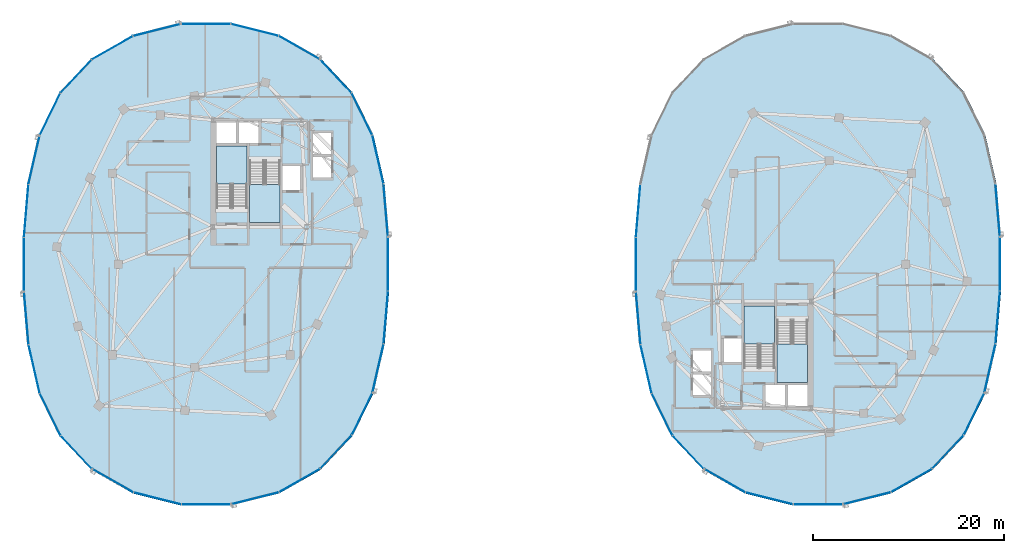
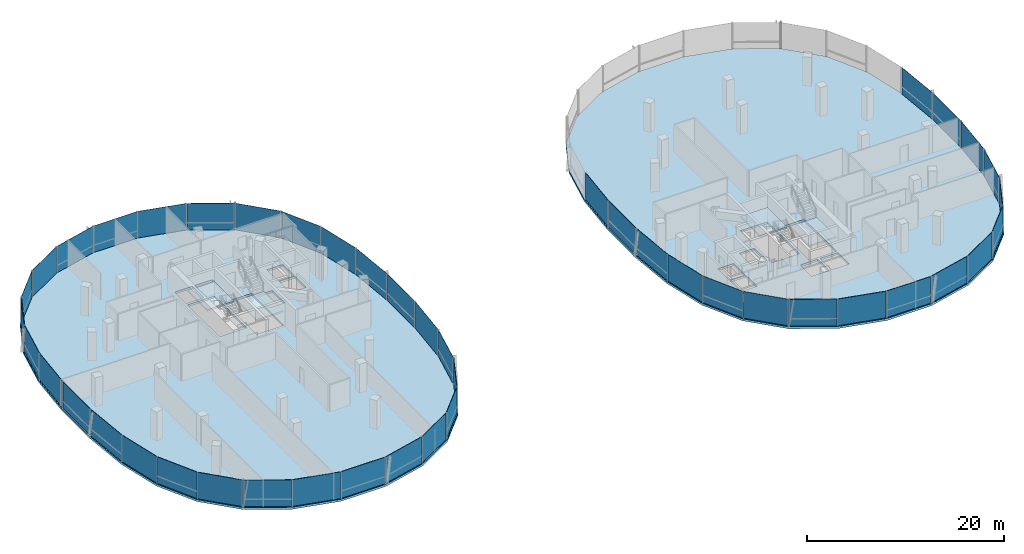
# One storey, part 13 of 25: 45 plates, 6 slabs, 12 elements without a shape of their own.
"""IFC4 building model written with IfcOpenShell, lengths in metres."""

import ifcopenshell
import ifcopenshell.guid

model = None  # the IFC model being written
_history = None  # IfcOwnerHistory: only IFC2X3 demands one
_inside = {}  # id of a spatial element -> (the spatial element, [elements in it])
_under = {}  # id of a project, library or spatial element -> (it, [spatial elements below it])
_declared = {}  # id of a project -> (the project, [libraries it declares])
_typed = {}  # id of a type object -> (the type object, [elements of that type])
_made_of = {}  # id of a material, layer set ... -> (it, [elements and type objects made of it])


def new_model(schema):
    """Start an empty IFC model of exactly this schema.

    Asked for "IFC4X3", IfcOpenShell would pick the latest addendum, in which some entities
    have other attributes; the version numbers below select the first issue.
    IFC2X3 requires an IfcOwnerHistory on every rooted entity: one is made here for all.
    """
    global model, _history
    if schema == "IFC4X3":
        model = ifcopenshell.file(schema_version=(4, 3, 0, 0))
    else:
        model = ifcopenshell.file(schema=schema)
    _inside.clear()
    _under.clear()
    _declared.clear()
    _typed.clear()
    _made_of.clear()
    _history = None
    if model.schema == "IFC2X3":
        org = make("IfcOrganization", Name="unknown")
        user = make(
            "IfcPersonAndOrganization",
            ThePerson=make("IfcPerson", FamilyName="unknown"),
            TheOrganization=org,
        )
        app = make(
            "IfcApplication",
            ApplicationDeveloper=org,
            Version="unknown",
            ApplicationFullName="unknown",
            ApplicationIdentifier="unknown",
        )
        _history = make(
            "IfcOwnerHistory",
            OwningUser=user,
            OwningApplication=app,
            ChangeAction="ADDED",
            CreationDate=0,
        )
    return model


def make(cls, **values):
    """One entity of the class cls with the attributes given. An attribute that is None is left unset."""
    return model.create_entity(
        cls, **{name: value for name, value in values.items() if value is not None}
    )


def rooted(cls, **values):
    """An entity with a GlobalId (a new one), such as an element, a storey or a relation."""
    return make(cls, GlobalId=ifcopenshell.guid.new(), OwnerHistory=_history, **values)


def si_unit(unit_type, name, prefix=None):
    """IfcSIUnit, for example si_unit("LENGTHUNIT", "METRE", prefix="MILLI")."""
    return make("IfcSIUnit", UnitType=unit_type, Prefix=prefix, Name=name)


def assignment(units):
    """IfcUnitAssignment: the units of a project."""
    return None if units is None else make("IfcUnitAssignment", Units=units)


def point(xyz):
    """IfcCartesianPoint."""
    return None if xyz is None else make("IfcCartesianPoint", Coordinates=xyz)


def direction(xyz):
    """IfcDirection."""
    return None if xyz is None else make("IfcDirection", DirectionRatios=xyz)


def frame(location, z_axis=None, x_axis=None):
    """IfcAxis2Placement3D, a coordinate frame: its origin and axes. An axis left out is left unset."""
    return make(
        "IfcAxis2Placement3D",
        Location=point(location),
        Axis=direction(z_axis),
        RefDirection=direction(x_axis),
    )


def frame_2d(location, x_axis=None):
    """IfcAxis2Placement2D, a coordinate frame in the plane: its origin and x axis."""
    return make(
        "IfcAxis2Placement2D", Location=point(location), RefDirection=direction(x_axis)
    )


def origin():
    """The frame at (0, 0, 0) with its axes left unset."""
    return frame((0.0, 0.0, 0.0))


def origin_2d():
    """The frame at (0, 0) in the plane with its x axis left unset."""
    return frame_2d((0.0, 0.0))


def place(relative_to, where):
    """IfcLocalPlacement: puts the frame where relative to a parent placement (None: the world)."""
    return make(
        "IfcLocalPlacement", PlacementRelTo=relative_to, RelativePlacement=where
    )


def context(
    kind, dimensions, precision=None, world=None, true_north=None, identifier=None
):
    """IfcGeometricRepresentationContext, for example the 3D "Model" context."""
    return make(
        "IfcGeometricRepresentationContext",
        ContextIdentifier=identifier,
        ContextType=kind,
        CoordinateSpaceDimension=dimensions,
        Precision=precision,
        WorldCoordinateSystem=world,
        TrueNorth=true_north,
    )


def subcontext(parent, identifier, kind, view, scale=None):
    """IfcGeometricRepresentationSubContext, for example "Body" below "Model"."""
    return make(
        "IfcGeometricRepresentationSubContext",
        ContextIdentifier=identifier,
        ContextType=kind,
        ParentContext=parent,
        TargetScale=scale,
        TargetView=view,
    )


def project(units=None, contexts=None):
    """IfcProject with its units and contexts."""
    return rooted(
        "IfcProject",
        Name="project",
        RepresentationContexts=contexts,
        UnitsInContext=assignment(units),
    )


def spatial(cls, under=None, at=None, **own):
    """A site, building, storey or space (cls), placed at a placement, below another one or the project."""
    s = rooted(cls, ObjectPlacement=at, **own)
    if under is not None:
        _under.setdefault(under.id(), (under, []))[1].append(s)
    return s


def polyline(points):
    """IfcPolyline through the points."""
    return make("IfcPolyline", Points=[point(p) for p in points])


def profile(cls, at=None, kind="AREA", **sizes):
    """A parametric profile (cls). Its sizes go by their IFC names, for example OverallWidth=200.0."""
    return make(cls, ProfileType=kind, Position=at, **sizes)


def rectangle(**sizes):
    """IfcRectangleProfileDef."""
    return profile("IfcRectangleProfileDef", **sizes)


def outline(outer, holes=None, kind="AREA"):
    """IfcArbitraryClosedProfileDef: a profile drawn as a closed curve; with holes, ...WithVoids."""
    if holes is None:
        return make("IfcArbitraryClosedProfileDef", ProfileType=kind, OuterCurve=outer)
    return make(
        "IfcArbitraryProfileDefWithVoids",
        ProfileType=kind,
        OuterCurve=outer,
        InnerCurves=holes,
    )


def extrude(swept, where, along, depth):
    """IfcExtrudedAreaSolid: the profile swept, set in the frame where, extruded along a direction by depth."""
    return make(
        "IfcExtrudedAreaSolid",
        SweptArea=swept,
        Position=where,
        ExtrudedDirection=direction(along),
        Depth=depth,
    )


def shape(context_of_items, identifier, shape_type, items):
    """IfcShapeRepresentation: the items that make up one representation, for example the "Body"."""
    return make(
        "IfcShapeRepresentation",
        ContextOfItems=context_of_items,
        RepresentationIdentifier=identifier,
        RepresentationType=shape_type,
        Items=items,
    )


def material(Name=None, Category=None):
    """IfcMaterial."""
    return make("IfcMaterial", Name=Name, Category=Category)


def layer(
    of_material, thickness, ventilated=None, Name=None, Category=None, Priority=None
):
    """IfcMaterialLayer: one layer of a wall or slab, of a material (None: an air gap)."""
    return make(
        "IfcMaterialLayer",
        Material=of_material,
        LayerThickness=thickness,
        IsVentilated=ventilated,
        Name=Name,
        Category=Category,
        Priority=Priority,
    )


def layer_set(layers, Name=None):
    """IfcMaterialLayerSet."""
    return make("IfcMaterialLayerSet", MaterialLayers=layers, LayerSetName=Name)


def made_of(thing, what):
    """Note that an element or type object is made of a material, layer set ...; save() writes the relation."""
    if what is not None:
        _made_of.setdefault(what.id(), (what, []))[1].append(thing)
    return thing


def type_object(cls, material=None, **own):
    """A type object (cls), such as IfcWallType, which elements share."""
    return made_of(rooted(cls, **own), material)


def element(
    cls,
    number,
    at=None,
    inside=None,
    cuts=None,
    type_object=None,
    material=None,
    context=None,
    identifier="Body",
    shape_type=None,
    held_by="IfcProductDefinitionShape",
    body=None,
    shapes=None,
    **own,
):
    """One element of the class cls, such as IfcWall. Its Tag is "e" and its number.

    at: its placement. inside: the storey or other place that contains it. cuts: it is an
    opening in that element (IfcRelVoidsElement). A single representation is given by context,
    identifier, shape_type and body (its items); several are given by shapes. held_by: the class
    of the entity that holds the representations. save() writes the other relations.
    """
    e = rooted(cls, Tag="e%d" % number, ObjectPlacement=at, **own)
    if body is not None:
        shapes = [shape(context, identifier, shape_type, body)]
    if shapes is not None:
        e.Representation = make(held_by, Representations=shapes)
    if inside is not None:
        _inside.setdefault(inside.id(), (inside, []))[1].append(e)
    if cuts is not None:
        rooted(
            "IfcRelVoidsElement", RelatingBuildingElement=cuts, RelatedOpeningElement=e
        )
    if type_object is not None:
        _typed.setdefault(type_object.id(), (type_object, []))[1].append(e)
    return made_of(e, material)


def aggregate(whole, parts):
    """IfcRelAggregates: a whole, such as a stair, and the parts it consists of."""
    return rooted("IfcRelAggregates", RelatingObject=whole, RelatedObjects=parts)


def save(model, path):
    """Write the relations noted so far, then the file.

    IfcRelAggregates (storeys below a building ...), IfcRelContainedInSpatialStructure (elements
    in a storey), IfcRelDefinesByType, IfcRelAssociatesMaterial and IfcRelDeclares: one each for
    every whole, place, type object, material and project.
    """
    for whole, parts in _under.values():
        aggregate(whole, parts)
    for where, things in _inside.values():
        rooted(
            "IfcRelContainedInSpatialStructure",
            RelatedElements=things,
            RelatingStructure=where,
        )
    for kind, things in _typed.values():
        rooted("IfcRelDefinesByType", RelatedObjects=things, RelatingType=kind)
    for what, things in _made_of.values():
        rooted("IfcRelAssociatesMaterial", RelatedObjects=things, RelatingMaterial=what)
    for by, libraries in _declared.values():
        rooted("IfcRelDeclares", RelatingContext=by, RelatedDefinitions=libraries)
    model.write(path)


model = new_model("IFC4")

# Units and contexts
model_context = context("Model", 3, precision=1e-05, world=origin(), true_north=direction((0.0, 1.0)))
body_context = subcontext(model_context, "Body", "Model", "MODEL_VIEW")
ifc_project = project(units=[si_unit("LENGTHUNIT", "METRE"), si_unit("AREAUNIT", "SQUARE_METRE"), si_unit("VOLUMEUNIT", "CUBIC_METRE"), si_unit("PLANEANGLEUNIT", "RADIAN"), si_unit("MASSUNIT", "GRAM", prefix="KILO"), si_unit("THERMODYNAMICTEMPERATUREUNIT", "KELVIN"), si_unit("POWERUNIT", "WATT")], contexts=[model_context])

# Site, building, storey
site_placement = place(None, origin())
site = spatial("IfcSite", under=ifc_project, at=site_placement, CompositionType="ELEMENT")
building_placement = place(site_placement, origin())
building = spatial("IfcBuilding", under=site, at=building_placement, Name="Cundina Bronze Exchange", CompositionType="ELEMENT")
storey_placement = place(building_placement, frame((0.0, 0.0, 199.0)))
storey = spatial("IfcBuildingStorey", under=building, at=storey_placement, Name="L52", CompositionType="ELEMENT", Elevation=199.0)

# Curtain wall, plates
ifc_material_1 = material(Name="Anodised Bronze Aluminium 6063-T6", Category="aluminium")
curtain_wall_type = type_object("IfcCurtainWallType", Name="CWS-UPP-OFF", PredefinedType="NOTDEFINED", material=ifc_material_1)
curtain_wall_1_placement = place(storey_placement, origin())
curtain_wall_1 = element("IfcCurtainWall", 1, at=curtain_wall_1_placement, inside=storey, type_object=curtain_wall_type, Name="L52 CW-05 Curtain Wall Run CWR-L52-W1", PredefinedType="NOTDEFINED")
ifc_material_2 = material(Name="Heat-Strengthened Solar-Control Bronze Safety Glass 28mm", Category="glass")
ifc_layer_1 = layer(ifc_material_2, 0.028076171875, Name="Heat-Strengthened Solar-Control Bronze Safety Glass 28mm", Category="glass")
ifc_layer_set_1 = layer_set([ifc_layer_1], Name="Heat-Strengthened Solar-Control Bronze Safety Glass 28mm")
plate_type_1 = type_object("IfcPlateType", Name="PLT-GLZ-VIS28", PredefinedType="CURTAIN_PANEL", material=ifc_layer_set_1)
plate_1_placement = place(storey_placement, frame((-13.198486328125, 5.60693359375, 0.02001953125), z_axis=(0.0, 0.0, 1.0), x_axis=(-0.083747411454, 0.996487015006, 0.0)))
plate_1 = element("IfcPlate", 2, at=plate_1_placement, type_object=plate_type_1, Name="CW-05 Glazed Panel 1", PredefinedType="CURTAIN_PANEL", context=body_context, shape_type="SweptSolid", body=[
    extrude(rectangle(XDim=5.474609375, YDim=0.028076171875, at=origin_2d()), origin(), (0.0, 0.0, 1.0), 3.300048828125),
])
plate_2_placement = place(storey_placement, frame((-14.01611328125, 10.92578125, 0.02001953125), z_axis=(0.0, 0.0, 1.0), x_axis=(-0.223284141459, 0.974753400698, 0.0)))
plate_2 = element("IfcPlate", 3, at=plate_2_placement, type_object=plate_type_1, Name="CW-05 Glazed Panel 2", PredefinedType="CURTAIN_PANEL", context=body_context, shape_type="SweptSolid", body=[
    extrude(rectangle(XDim=5.167724609375, YDim=0.028076171875, at=origin_2d()), origin(), (0.0, 0.0, 1.0), 3.300048828125),
])
plate_3_placement = place(storey_placement, frame((-18.4208984375, 19.6552734375, 0.02001953125), z_axis=(0.0, 0.0, 1.0), x_axis=(-0.684343512797, 0.72915976061, 0.0)))
plate_3 = element("IfcPlate", 4, at=plate_3_placement, type_object=plate_type_1, Name="CW-05 Glazed Panel 4", PredefinedType="CURTAIN_PANEL", context=body_context, shape_type="SweptSolid", body=[
    extrude(rectangle(XDim=4.773193359375, YDim=0.028076171875, at=origin_2d()), origin(), (0.0, 0.0, 1.0), 3.300048828125),
])
plate_4_placement = place(storey_placement, frame((-22.230712890625, 22.64111328125, 0.02001953125), z_axis=(0.0, 0.0, 1.0), x_axis=(-0.869572506985, 0.493805280547, 0.0)))
plate_4 = element("IfcPlate", 5, at=plate_4_placement, type_object=plate_type_1, Name="CW-05 Glazed Panel 5", PredefinedType="CURTAIN_PANEL", context=body_context, shape_type="SweptSolid", body=[
    extrude(rectangle(XDim=4.907958984375, YDim=0.028076171875, at=origin_2d()), origin(), (0.0, 0.0, 1.0), 3.300048828125),
])
plate_5_placement = place(storey_placement, frame((-26.88720703125, 24.49609375, 0.02001953125), z_axis=(0.0, 0.0, 1.0), x_axis=(-0.969731542251, 0.244173577528, 0.0)))
plate_5 = element("IfcPlate", 6, at=plate_5_placement, type_object=plate_type_1, Name="CW-05 Glazed Panel 6", PredefinedType="CURTAIN_PANEL", context=body_context, shape_type="SweptSolid", body=[
    extrude(rectangle(XDim=5.0908203125, YDim=0.028076171875, at=origin_2d()), origin(), (0.0, 0.0, 1.0), 3.300048828125),
])
plate_6_placement = place(storey_placement, frame((-32.0, 25.125, 0.02001953125), z_axis=(0.0, 0.0, 1.0), x_axis=(-1.0, 0.0, 0.0)))
plate_6 = element("IfcPlate", 7, at=plate_6_placement, type_object=plate_type_1, Name="CW-05 Glazed Panel 7", PredefinedType="CURTAIN_PANEL", context=body_context, shape_type="SweptSolid", body=[
    extrude(rectangle(XDim=5.16796875, YDim=0.028076171875, at=origin_2d()), origin(), (0.0, 0.0, 1.0), 3.300048828125),
])

curtain_wall_2_placement = place(storey_placement, origin())
curtain_wall_2 = element("IfcCurtainWall", 8, at=curtain_wall_2_placement, inside=storey, type_object=curtain_wall_type, Name="L52 CW-05 Curtain Wall Run CWR-L52-W2", PredefinedType="NOTDEFINED")
plate_7_placement = place(storey_placement, frame((-37.11279296875, 24.49609375, 0.02001953125), z_axis=(0.0, 0.0, 1.0), x_axis=(-0.969731542251, -0.244173577528, 0.0)))
plate_7 = element("IfcPlate", 9, at=plate_7_placement, type_object=plate_type_1, Name="CW-05 Glazed Panel 1", PredefinedType="CURTAIN_PANEL", context=body_context, shape_type="SweptSolid", body=[
    extrude(rectangle(XDim=5.0908203125, YDim=0.028076171875, at=origin_2d()), origin(), (0.0, 0.0, 1.0), 3.300048828125),
])
plate_8_placement = place(storey_placement, frame((-45.5791015625, 19.6552734375, 0.02001953125), z_axis=(0.0, 0.0, 1.0), x_axis=(-0.684343512797, -0.72915976061, 0.0)))
plate_8 = element("IfcPlate", 10, at=plate_8_placement, type_object=plate_type_1, Name="CW-05 Glazed Panel 3", PredefinedType="CURTAIN_PANEL", context=body_context, shape_type="SweptSolid", body=[
    extrude(rectangle(XDim=4.773193359375, YDim=0.028076171875, at=origin_2d()), origin(), (0.0, 0.0, 1.0), 3.300048828125),
])
plate_9_placement = place(storey_placement, frame((-48.314697265625, 15.686767578125, 0.02001953125), z_axis=(0.0, 0.0, 1.0), x_axis=(-0.440503330345, -0.897750976582, 0.0)))
plate_9 = element("IfcPlate", 11, at=plate_9_placement, type_object=plate_type_1, Name="CW-05 Glazed Panel 4", PredefinedType="CURTAIN_PANEL", context=body_context, shape_type="SweptSolid", body=[
    extrude(rectangle(XDim=4.863525390625, YDim=0.028076171875, at=origin_2d()), origin(), (0.0, 0.0, 1.0), 3.300048828125),
])
plate_10_placement = place(storey_placement, frame((-49.98388671875, 10.92578125, 0.02001953125), z_axis=(0.0, 0.0, 1.0), x_axis=(-0.223284141459, -0.974753400698, 0.0)))
plate_10 = element("IfcPlate", 12, at=plate_10_placement, type_object=plate_type_1, Name="CW-05 Glazed Panel 5", PredefinedType="CURTAIN_PANEL", context=body_context, shape_type="SweptSolid", body=[
    extrude(rectangle(XDim=5.167724609375, YDim=0.028076171875, at=origin_2d()), origin(), (0.0, 0.0, 1.0), 3.300048828125),
])
plate_11_placement = place(storey_placement, frame((-50.801513671875, 5.60693359375, 0.02001953125), z_axis=(0.0, 0.0, 1.0), x_axis=(-0.083747411454, -0.996487015006, 0.0)))
plate_11 = element("IfcPlate", 13, at=plate_11_placement, type_object=plate_type_1, Name="CW-05 Glazed Panel 6", PredefinedType="CURTAIN_PANEL", context=body_context, shape_type="SweptSolid", body=[
    extrude(rectangle(XDim=5.474609375, YDim=0.028076171875, at=origin_2d()), origin(), (0.0, 0.0, 1.0), 3.300048828125),
])

curtain_wall_3_placement = place(storey_placement, origin())
curtain_wall_3 = element("IfcCurtainWall", 14, at=curtain_wall_3_placement, inside=storey, type_object=curtain_wall_type, Name="L52 CW-05 Curtain Wall Run CWR-L52-W3", PredefinedType="NOTDEFINED")
plate_12_placement = place(storey_placement, frame((-49.98388671875, -10.92578125, 0.02001953125), z_axis=(0.0, 0.0, 1.0), x_axis=(0.223284141459, -0.974753400698, 0.0)))
plate_12 = element("IfcPlate", 15, at=plate_12_placement, type_object=plate_type_1, Name="CW-05 Glazed Panel 2", PredefinedType="CURTAIN_PANEL", context=body_context, shape_type="SweptSolid", body=[
    extrude(rectangle(XDim=5.167724609375, YDim=0.028076171875, at=origin_2d()), origin(), (0.0, 0.0, 1.0), 3.300048828125),
])
plate_13_placement = place(storey_placement, frame((-48.314697265625, -15.686767578125, 0.02001953125), z_axis=(0.0, 0.0, 1.0), x_axis=(0.440503330345, -0.897750976582, 0.0)))
plate_13 = element("IfcPlate", 16, at=plate_13_placement, type_object=plate_type_1, Name="CW-05 Glazed Panel 3", PredefinedType="CURTAIN_PANEL", context=body_context, shape_type="SweptSolid", body=[
    extrude(rectangle(XDim=4.863525390625, YDim=0.028076171875, at=origin_2d()), origin(), (0.0, 0.0, 1.0), 3.300048828125),
])
plate_14_placement = place(storey_placement, frame((-45.5791015625, -19.6552734375, 0.02001953125), z_axis=(0.0, 0.0, 1.0), x_axis=(0.684343512797, -0.72915976061, 0.0)))
plate_14 = element("IfcPlate", 17, at=plate_14_placement, type_object=plate_type_1, Name="CW-05 Glazed Panel 4", PredefinedType="CURTAIN_PANEL", context=body_context, shape_type="SweptSolid", body=[
    extrude(rectangle(XDim=4.773193359375, YDim=0.028076171875, at=origin_2d()), origin(), (0.0, 0.0, 1.0), 3.300048828125),
])
plate_15_placement = place(storey_placement, frame((-41.769287109375, -22.64111328125, 0.02001953125), z_axis=(0.0, 0.0, 1.0), x_axis=(0.869572506985, -0.493805280547, 0.0)))
plate_15 = element("IfcPlate", 18, at=plate_15_placement, type_object=plate_type_1, Name="CW-05 Glazed Panel 5", PredefinedType="CURTAIN_PANEL", context=body_context, shape_type="SweptSolid", body=[
    extrude(rectangle(XDim=4.907958984375, YDim=0.028076171875, at=origin_2d()), origin(), (0.0, 0.0, 1.0), 3.300048828125),
])
plate_16_placement = place(storey_placement, frame((-32.0, -25.125, 0.02001953125), z_axis=(0.0, 0.0, 1.0), x_axis=(1.0, 0.0, 0.0)))
plate_16 = element("IfcPlate", 19, at=plate_16_placement, type_object=plate_type_1, Name="CW-05 Glazed Panel 7", PredefinedType="CURTAIN_PANEL", context=body_context, shape_type="SweptSolid", body=[
    extrude(rectangle(XDim=5.16796875, YDim=0.028076171875, at=origin_2d()), origin(), (0.0, 0.0, 1.0), 3.300048828125),
])

curtain_wall_4_placement = place(storey_placement, origin())
curtain_wall_4 = element("IfcCurtainWall", 20, at=curtain_wall_4_placement, inside=storey, type_object=curtain_wall_type, Name="L52 CW-05 Curtain Wall Run CWR-L52-W4", PredefinedType="NOTDEFINED")
plate_17_placement = place(storey_placement, frame((-26.88720703125, -24.49609375, 0.02001953125), z_axis=(0.0, 0.0, 1.0), x_axis=(0.969731542251, 0.244173577528, 0.0)))
plate_17 = element("IfcPlate", 21, at=plate_17_placement, type_object=plate_type_1, Name="CW-05 Glazed Panel 1", PredefinedType="CURTAIN_PANEL", context=body_context, shape_type="SweptSolid", body=[
    extrude(rectangle(XDim=5.0908203125, YDim=0.028076171875, at=origin_2d()), origin(), (0.0, 0.0, 1.0), 3.300048828125),
])
plate_18_placement = place(storey_placement, frame((-22.230712890625, -22.64111328125, 0.02001953125), z_axis=(0.0, 0.0, 1.0), x_axis=(0.869572506985, 0.493805280547, 0.0)))
plate_18 = element("IfcPlate", 22, at=plate_18_placement, type_object=plate_type_1, Name="CW-05 Glazed Panel 2", PredefinedType="CURTAIN_PANEL", context=body_context, shape_type="SweptSolid", body=[
    extrude(rectangle(XDim=4.907958984375, YDim=0.028076171875, at=origin_2d()), origin(), (0.0, 0.0, 1.0), 3.300048828125),
])
plate_19_placement = place(storey_placement, frame((-18.4208984375, -19.6552734375, 0.02001953125), z_axis=(0.0, 0.0, 1.0), x_axis=(0.684343512797, 0.72915976061, 0.0)))
plate_19 = element("IfcPlate", 23, at=plate_19_placement, type_object=plate_type_1, Name="CW-05 Glazed Panel 3", PredefinedType="CURTAIN_PANEL", context=body_context, shape_type="SweptSolid", body=[
    extrude(rectangle(XDim=4.773193359375, YDim=0.028076171875, at=origin_2d()), origin(), (0.0, 0.0, 1.0), 3.300048828125),
])
plate_20_placement = place(storey_placement, frame((-15.685302734375, -15.686767578125, 0.02001953125), z_axis=(0.0, 0.0, 1.0), x_axis=(0.440503330345, 0.897750976582, 0.0)))
plate_20 = element("IfcPlate", 24, at=plate_20_placement, type_object=plate_type_1, Name="CW-05 Glazed Panel 4", PredefinedType="CURTAIN_PANEL", context=body_context, shape_type="SweptSolid", body=[
    extrude(rectangle(XDim=4.863525390625, YDim=0.028076171875, at=origin_2d()), origin(), (0.0, 0.0, 1.0), 3.300048828125),
])
plate_21_placement = place(storey_placement, frame((-13.198486328125, -5.60693359375, 0.02001953125), z_axis=(0.0, 0.0, 1.0), x_axis=(0.083747411454, 0.996487015006, 0.0)))
plate_21 = element("IfcPlate", 25, at=plate_21_placement, type_object=plate_type_1, Name="CW-05 Glazed Panel 6", PredefinedType="CURTAIN_PANEL", context=body_context, shape_type="SweptSolid", body=[
    extrude(rectangle(XDim=5.474609375, YDim=0.028076171875, at=origin_2d()), origin(), (0.0, 0.0, 1.0), 3.300048828125),
])
plate_22_placement = place(storey_placement, frame((-12.966064453125, 0.0, 0.02001953125), z_axis=(0.0, 0.0, 1.0), x_axis=(0.0, 1.0, 0.0)))
plate_22 = element("IfcPlate", 26, at=plate_22_placement, type_object=plate_type_1, Name="CW-05 Glazed Panel 7", PredefinedType="CURTAIN_PANEL", context=body_context, shape_type="SweptSolid", body=[
    extrude(rectangle(XDim=5.597900390625, YDim=0.028076171875, at=origin_2d()), origin(), (0.0, 0.0, 1.0), 3.300048828125),
])

# Curtain wall, plate
curtain_wall_5_placement = place(storey_placement, origin())
curtain_wall_5 = element("IfcCurtainWall", 27, at=curtain_wall_5_placement, inside=storey, type_object=curtain_wall_type, Name="L52 CW-05 Curtain Wall Run CWR-L52-E1", PredefinedType="NOTDEFINED")
plate_23_placement = place(storey_placement, frame((50.801513671875, 5.60693359375, 0.02001953125), z_axis=(0.0, 0.0, 1.0), x_axis=(-0.083747411454, 0.996487015006, 0.0)))
plate_23 = element("IfcPlate", 28, at=plate_23_placement, type_object=plate_type_1, Name="CW-05 Glazed Panel 1", PredefinedType="CURTAIN_PANEL", context=body_context, shape_type="SweptSolid", body=[
    extrude(rectangle(XDim=5.474609375, YDim=0.028076171875, at=origin_2d()), origin(), (0.0, 0.0, 1.0), 3.300048828125),
])
aggregate(curtain_wall_5, [plate_23])

curtain_wall_6_placement = place(storey_placement, origin())
curtain_wall_6 = element("IfcCurtainWall", 29, at=curtain_wall_6_placement, inside=storey, type_object=curtain_wall_type, Name="L52 CW-05 Curtain Wall Run CWR-L52-E2", PredefinedType="NOTDEFINED")
plate_24_placement = place(storey_placement, frame((13.198486328125, 5.60693359375, 0.02001953125), z_axis=(0.0, 0.0, 1.0), x_axis=(-0.083747411454, -0.996487015006, 0.0)))
plate_24 = element("IfcPlate", 30, at=plate_24_placement, type_object=plate_type_1, Name="CW-05 Glazed Panel 6", PredefinedType="CURTAIN_PANEL", context=body_context, shape_type="SweptSolid", body=[
    extrude(rectangle(XDim=5.474609375, YDim=0.028076171875, at=origin_2d()), origin(), (0.0, 0.0, 1.0), 3.300048828125),
])

# Curtain wall, plates
curtain_wall_7_placement = place(storey_placement, origin())
curtain_wall_7 = element("IfcCurtainWall", 31, at=curtain_wall_7_placement, inside=storey, type_object=curtain_wall_type, Name="L52 CW-05 Curtain Wall Run CWR-L52-E3", PredefinedType="NOTDEFINED")
plate_25_placement = place(storey_placement, frame((14.01611328125, -10.92578125, 0.02001953125), z_axis=(0.0, 0.0, 1.0), x_axis=(0.223284141459, -0.974753400698, 0.0)))
plate_25 = element("IfcPlate", 32, at=plate_25_placement, type_object=plate_type_1, Name="CW-05 Glazed Panel 2", PredefinedType="CURTAIN_PANEL", context=body_context, shape_type="SweptSolid", body=[
    extrude(rectangle(XDim=5.167724609375, YDim=0.028076171875, at=origin_2d()), origin(), (0.0, 0.0, 1.0), 3.300048828125),
])
plate_26_placement = place(storey_placement, frame((15.685302734375, -15.686767578125, 0.02001953125), z_axis=(0.0, 0.0, 1.0), x_axis=(0.440503330345, -0.897750976582, 0.0)))
plate_26 = element("IfcPlate", 33, at=plate_26_placement, type_object=plate_type_1, Name="CW-05 Glazed Panel 3", PredefinedType="CURTAIN_PANEL", context=body_context, shape_type="SweptSolid", body=[
    extrude(rectangle(XDim=4.863525390625, YDim=0.028076171875, at=origin_2d()), origin(), (0.0, 0.0, 1.0), 3.300048828125),
])
plate_27_placement = place(storey_placement, frame((18.4208984375, -19.6552734375, 0.02001953125), z_axis=(0.0, 0.0, 1.0), x_axis=(0.684343512797, -0.72915976061, 0.0)))
plate_27 = element("IfcPlate", 34, at=plate_27_placement, type_object=plate_type_1, Name="CW-05 Glazed Panel 4", PredefinedType="CURTAIN_PANEL", context=body_context, shape_type="SweptSolid", body=[
    extrude(rectangle(XDim=4.773193359375, YDim=0.028076171875, at=origin_2d()), origin(), (0.0, 0.0, 1.0), 3.300048828125),
])
plate_28_placement = place(storey_placement, frame((22.230712890625, -22.64111328125, 0.02001953125), z_axis=(0.0, 0.0, 1.0), x_axis=(0.869572506985, -0.493805280547, 0.0)))
plate_28 = element("IfcPlate", 35, at=plate_28_placement, type_object=plate_type_1, Name="CW-05 Glazed Panel 5", PredefinedType="CURTAIN_PANEL", context=body_context, shape_type="SweptSolid", body=[
    extrude(rectangle(XDim=4.907958984375, YDim=0.028076171875, at=origin_2d()), origin(), (0.0, 0.0, 1.0), 3.300048828125),
])
plate_29_placement = place(storey_placement, frame((32.0, -25.125, 0.02001953125), z_axis=(0.0, 0.0, 1.0), x_axis=(1.0, 0.0, 0.0)))
plate_29 = element("IfcPlate", 36, at=plate_29_placement, type_object=plate_type_1, Name="CW-05 Glazed Panel 7", PredefinedType="CURTAIN_PANEL", context=body_context, shape_type="SweptSolid", body=[
    extrude(rectangle(XDim=5.16796875, YDim=0.028076171875, at=origin_2d()), origin(), (0.0, 0.0, 1.0), 3.300048828125),
])

curtain_wall_8_placement = place(storey_placement, origin())
curtain_wall_8 = element("IfcCurtainWall", 37, at=curtain_wall_8_placement, inside=storey, type_object=curtain_wall_type, Name="L52 CW-05 Curtain Wall Run CWR-L52-E4", PredefinedType="NOTDEFINED")
plate_30_placement = place(storey_placement, frame((37.11279296875, -24.49609375, 0.02001953125), z_axis=(0.0, 0.0, 1.0), x_axis=(0.969731542251, 0.244173577528, 0.0)))
plate_30 = element("IfcPlate", 38, at=plate_30_placement, type_object=plate_type_1, Name="CW-05 Glazed Panel 1", PredefinedType="CURTAIN_PANEL", context=body_context, shape_type="SweptSolid", body=[
    extrude(rectangle(XDim=5.0908203125, YDim=0.028076171875, at=origin_2d()), origin(), (0.0, 0.0, 1.0), 3.300048828125),
])
plate_31_placement = place(storey_placement, frame((41.769287109375, -22.64111328125, 0.02001953125), z_axis=(0.0, 0.0, 1.0), x_axis=(0.869572506985, 0.493805280547, 0.0)))
plate_31 = element("IfcPlate", 39, at=plate_31_placement, type_object=plate_type_1, Name="CW-05 Glazed Panel 2", PredefinedType="CURTAIN_PANEL", context=body_context, shape_type="SweptSolid", body=[
    extrude(rectangle(XDim=4.907958984375, YDim=0.028076171875, at=origin_2d()), origin(), (0.0, 0.0, 1.0), 3.300048828125),
])
plate_32_placement = place(storey_placement, frame((45.5791015625, -19.6552734375, 0.02001953125), z_axis=(0.0, 0.0, 1.0), x_axis=(0.684343512797, 0.72915976061, 0.0)))
plate_32 = element("IfcPlate", 40, at=plate_32_placement, type_object=plate_type_1, Name="CW-05 Glazed Panel 3", PredefinedType="CURTAIN_PANEL", context=body_context, shape_type="SweptSolid", body=[
    extrude(rectangle(XDim=4.773193359375, YDim=0.028076171875, at=origin_2d()), origin(), (0.0, 0.0, 1.0), 3.300048828125),
])
plate_33_placement = place(storey_placement, frame((48.314697265625, -15.686767578125, 0.02001953125), z_axis=(0.0, 0.0, 1.0), x_axis=(0.440503330345, 0.897750976582, 0.0)))
plate_33 = element("IfcPlate", 41, at=plate_33_placement, type_object=plate_type_1, Name="CW-05 Glazed Panel 4", PredefinedType="CURTAIN_PANEL", context=body_context, shape_type="SweptSolid", body=[
    extrude(rectangle(XDim=4.863525390625, YDim=0.028076171875, at=origin_2d()), origin(), (0.0, 0.0, 1.0), 3.300048828125),
])
plate_34_placement = place(storey_placement, frame((50.801513671875, -5.60693359375, 0.02001953125), z_axis=(0.0, 0.0, 1.0), x_axis=(0.083747411454, 0.996487015006, 0.0)))
plate_34 = element("IfcPlate", 42, at=plate_34_placement, type_object=plate_type_1, Name="CW-05 Glazed Panel 6", PredefinedType="CURTAIN_PANEL", context=body_context, shape_type="SweptSolid", body=[
    extrude(rectangle(XDim=5.474609375, YDim=0.028076171875, at=origin_2d()), origin(), (0.0, 0.0, 1.0), 3.300048828125),
])
plate_35_placement = place(storey_placement, frame((51.033935546875, 0.0, 0.02001953125), z_axis=(0.0, 0.0, 1.0), x_axis=(0.0, 1.0, 0.0)))
plate_35 = element("IfcPlate", 43, at=plate_35_placement, type_object=plate_type_1, Name="CW-05 Glazed Panel 7", PredefinedType="CURTAIN_PANEL", context=body_context, shape_type="SweptSolid", body=[
    extrude(rectangle(XDim=5.597900390625, YDim=0.028076171875, at=origin_2d()), origin(), (0.0, 0.0, 1.0), 3.300048828125),
])

# Plate
ifc_material_3 = material(Name="Dark Bronze Spandrel Glass Panel 32mm", Category="glass")
ifc_layer_2 = layer(ifc_material_3, 0.031982421875, Name="Dark Bronze Spandrel Glass Panel 32mm", Category="glass")
ifc_layer_set_2 = layer_set([ifc_layer_2], Name="Dark Bronze Spandrel Glass Panel 32mm")
plate_type_2 = type_object("IfcPlateType", Name="PLT-SPN-BRZ32", PredefinedType="CURTAIN_PANEL", material=ifc_layer_set_2)
plate_36_placement = place(storey_placement, frame((-15.685302734375, 15.686767578125, 0.02001953125), z_axis=(0.0, 0.0, 1.0), x_axis=(-0.440503330345, 0.897750976582, 0.0)))
plate_36 = element("IfcPlate", 44, at=plate_36_placement, type_object=plate_type_2, Name="CW-05 Glazed Panel 3", PredefinedType="CURTAIN_PANEL", context=body_context, shape_type="SweptSolid", body=[
    extrude(rectangle(XDim=4.863525390625, YDim=0.031982421875, at=origin_2d()), origin(), (0.0, 0.0, 1.0), 3.300048828125),
])

aggregate(curtain_wall_1, [plate_1, plate_2, plate_36, plate_3, plate_4, plate_5, plate_6])

plate_37_placement = place(storey_placement, frame((-41.769287109375, 22.64111328125, 0.02001953125), z_axis=(0.0, 0.0, 1.0), x_axis=(-0.869572506985, -0.493805280547, 0.0)))
plate_37 = element("IfcPlate", 45, at=plate_37_placement, type_object=plate_type_2, Name="CW-05 Glazed Panel 2", PredefinedType="CURTAIN_PANEL", context=body_context, shape_type="SweptSolid", body=[
    extrude(rectangle(XDim=4.907958984375, YDim=0.031982421875, at=origin_2d()), origin(), (0.0, 0.0, 1.0), 3.300048828125),
])

plate_38_placement = place(storey_placement, frame((-51.033935546875, 0.0, 0.02001953125), z_axis=(0.0, 0.0, 1.0), x_axis=(0.0, -1.0, 0.0)))
plate_38 = element("IfcPlate", 46, at=plate_38_placement, type_object=plate_type_2, Name="CW-05 Glazed Panel 7", PredefinedType="CURTAIN_PANEL", context=body_context, shape_type="SweptSolid", body=[
    extrude(rectangle(XDim=5.597900390625, YDim=0.031982421875, at=origin_2d()), origin(), (0.0, 0.0, 1.0), 3.300048828125),
])

aggregate(curtain_wall_2, [plate_7, plate_37, plate_8, plate_9, plate_10, plate_11, plate_38])

plate_39_placement = place(storey_placement, frame((-50.801513671875, -5.60693359375, 0.02001953125), z_axis=(0.0, 0.0, 1.0), x_axis=(0.083747411454, -0.996487015006, 0.0)))
plate_39 = element("IfcPlate", 47, at=plate_39_placement, type_object=plate_type_2, Name="CW-05 Glazed Panel 1", PredefinedType="CURTAIN_PANEL", context=body_context, shape_type="SweptSolid", body=[
    extrude(rectangle(XDim=5.474609375, YDim=0.031982421875, at=origin_2d()), origin(), (0.0, 0.0, 1.0), 3.300048828125),
])

plate_40_placement = place(storey_placement, frame((-37.11279296875, -24.49609375, 0.02001953125), z_axis=(0.0, 0.0, 1.0), x_axis=(0.969731542251, -0.244173577528, 0.0)))
plate_40 = element("IfcPlate", 48, at=plate_40_placement, type_object=plate_type_2, Name="CW-05 Glazed Panel 6", PredefinedType="CURTAIN_PANEL", context=body_context, shape_type="SweptSolid", body=[
    extrude(rectangle(XDim=5.0908203125, YDim=0.031982421875, at=origin_2d()), origin(), (0.0, 0.0, 1.0), 3.300048828125),
])

aggregate(curtain_wall_3, [plate_39, plate_12, plate_13, plate_14, plate_15, plate_40, plate_16])

plate_41_placement = place(storey_placement, frame((-14.01611328125, -10.92578125, 0.02001953125), z_axis=(0.0, 0.0, 1.0), x_axis=(0.223284141459, 0.974753400698, 0.0)))
plate_41 = element("IfcPlate", 49, at=plate_41_placement, type_object=plate_type_2, Name="CW-05 Glazed Panel 5", PredefinedType="CURTAIN_PANEL", context=body_context, shape_type="SweptSolid", body=[
    extrude(rectangle(XDim=5.167724609375, YDim=0.031982421875, at=origin_2d()), origin(), (0.0, 0.0, 1.0), 3.300048828125),
])

aggregate(curtain_wall_4, [plate_17, plate_18, plate_19, plate_20, plate_41, plate_21, plate_22])

plate_42_placement = place(storey_placement, frame((12.966064453125, 0.0, 0.02001953125), z_axis=(0.0, 0.0, 1.0), x_axis=(0.0, -1.0, 0.0)))
plate_42 = element("IfcPlate", 50, at=plate_42_placement, type_object=plate_type_2, Name="CW-05 Glazed Panel 7", PredefinedType="CURTAIN_PANEL", context=body_context, shape_type="SweptSolid", body=[
    extrude(rectangle(XDim=5.597900390625, YDim=0.031982421875, at=origin_2d()), origin(), (0.0, 0.0, 1.0), 3.300048828125),
])

aggregate(curtain_wall_6, [plate_24, plate_42])

plate_43_placement = place(storey_placement, frame((13.198486328125, -5.60693359375, 0.02001953125), z_axis=(0.0, 0.0, 1.0), x_axis=(0.083747411454, -0.996487015006, 0.0)))
plate_43 = element("IfcPlate", 51, at=plate_43_placement, type_object=plate_type_2, Name="CW-05 Glazed Panel 1", PredefinedType="CURTAIN_PANEL", context=body_context, shape_type="SweptSolid", body=[
    extrude(rectangle(XDim=5.474609375, YDim=0.031982421875, at=origin_2d()), origin(), (0.0, 0.0, 1.0), 3.300048828125),
])

plate_44_placement = place(storey_placement, frame((26.88720703125, -24.49609375, 0.02001953125), z_axis=(0.0, 0.0, 1.0), x_axis=(0.969731542251, -0.244173577528, 0.0)))
plate_44 = element("IfcPlate", 52, at=plate_44_placement, type_object=plate_type_2, Name="CW-05 Glazed Panel 6", PredefinedType="CURTAIN_PANEL", context=body_context, shape_type="SweptSolid", body=[
    extrude(rectangle(XDim=5.0908203125, YDim=0.031982421875, at=origin_2d()), origin(), (0.0, 0.0, 1.0), 3.300048828125),
])

aggregate(curtain_wall_7, [plate_43, plate_25, plate_26, plate_27, plate_28, plate_44, plate_29])

plate_45_placement = place(storey_placement, frame((49.98388671875, -10.92578125, 0.02001953125), z_axis=(0.0, 0.0, 1.0), x_axis=(0.223284141459, 0.974753400698, 0.0)))
plate_45 = element("IfcPlate", 53, at=plate_45_placement, type_object=plate_type_2, Name="CW-05 Glazed Panel 5", PredefinedType="CURTAIN_PANEL", context=body_context, shape_type="SweptSolid", body=[
    extrude(rectangle(XDim=5.167724609375, YDim=0.031982421875, at=origin_2d()), origin(), (0.0, 0.0, 1.0), 3.300048828125),
])

aggregate(curtain_wall_8, [plate_30, plate_31, plate_32, plate_33, plate_45, plate_34, plate_35])

# Stair, slab
ifc_material_4 = material(Name="Concrete C40/50", Category="concrete")
stair_type = type_object("IfcStairType", Name="STR-OFF-360", PredefinedType="HALF_TURN_STAIR", material=ifc_material_4)
stair_1_placement = place(storey_placement, origin())
stair_1 = element("IfcStair", 54, at=stair_1_placement, inside=storey, type_object=stair_type, Name="L52 Smokeproof Exit Stair W1", PredefinedType="HALF_TURN_STAIR")
ifc_layer_3 = layer(ifc_material_4, 0.199951171875, Name="Concrete C40/50", Category="concrete")
ifc_layer_set_3 = layer_set([ifc_layer_3], Name="Concrete C40/50")
slab_type_1 = type_object("IfcSlabType", Name="SLB-LND-200", PredefinedType="LANDING", material=ifc_layer_set_3)
slab_1_placement = place(storey_placement, frame((0.0, 0.0, 1.60009765625)))
slab_1 = element("IfcSlab", 55, at=slab_1_placement, type_object=slab_type_1, Name="ST-W1 landing 1", PredefinedType="LANDING", context=body_context, shape_type="SweptSolid", body=[
    extrude(outline(polyline([(-27.739990234375, 8.3701171875), (-27.739990234375, 12.35009765625), (-30.89990234375, 12.35009765625), (-30.89990234375, 8.3701171875), (-27.739990234375, 8.3701171875)])), origin(), (0.0, 0.0, 1.0), 0.199951171875),
])
aggregate(stair_1, [slab_1])

stair_2_placement = place(storey_placement, origin())
stair_2 = element("IfcStair", 56, at=stair_2_placement, inside=storey, type_object=stair_type, Name="L52 Smokeproof Exit Stair W2", PredefinedType="HALF_TURN_STAIR")
slab_2_placement = place(storey_placement, frame((0.0, 0.0, 1.60009765625)))
slab_2 = element("IfcSlab", 57, at=slab_2_placement, type_object=slab_type_1, Name="ST-W2 landing 1", PredefinedType="LANDING", context=body_context, shape_type="SweptSolid", body=[
    extrude(outline(polyline([(-27.43994140625, 8.330078125), (-27.43994140625, 4.35009765625), (-24.280029296875, 4.35009765625), (-24.280029296875, 8.330078125), (-27.43994140625, 8.330078125)])), origin(), (0.0, 0.0, 1.0), 0.199951171875),
])
aggregate(stair_2, [slab_2])

stair_3_placement = place(storey_placement, origin())
stair_3 = element("IfcStair", 58, at=stair_3_placement, inside=storey, type_object=stair_type, Name="L52 Smokeproof Exit Stair E1", PredefinedType="HALF_TURN_STAIR")
slab_3_placement = place(storey_placement, frame((0.0, 0.0, 1.60009765625)))
slab_3 = element("IfcSlab", 59, at=slab_3_placement, type_object=slab_type_1, Name="ST-E1 landing 1", PredefinedType="LANDING", context=body_context, shape_type="SweptSolid", body=[
    extrude(outline(polyline([(27.739990234375, -8.3701171875), (27.739990234375, -12.35009765625), (30.89990234375, -12.35009765625), (30.89990234375, -8.3701171875), (27.739990234375, -8.3701171875)])), origin(), (0.0, 0.0, 1.0), 0.199951171875),
])
aggregate(stair_3, [slab_3])

stair_4_placement = place(storey_placement, origin())
stair_4 = element("IfcStair", 60, at=stair_4_placement, inside=storey, type_object=stair_type, Name="L52 Smokeproof Exit Stair E2", PredefinedType="HALF_TURN_STAIR")
slab_4_placement = place(storey_placement, frame((0.0, 0.0, 1.60009765625)))
slab_4 = element("IfcSlab", 61, at=slab_4_placement, type_object=slab_type_1, Name="ST-E2 landing 1", PredefinedType="LANDING", context=body_context, shape_type="SweptSolid", body=[
    extrude(outline(polyline([(27.43994140625, -8.330078125), (27.43994140625, -4.35009765625), (24.280029296875, -4.35009765625), (24.280029296875, -8.330078125), (27.43994140625, -8.330078125)])), origin(), (0.0, 0.0, 1.0), 0.199951171875),
])
aggregate(stair_4, [slab_4])

# Slabs
ifc_material_5 = material(Name="Concrete C50/60", Category="concrete")
ifc_layer_4 = layer(ifc_material_5, 0.260009765625, Name="Concrete C50/60", Category="concrete")
ifc_layer_set_4 = layer_set([ifc_layer_4], Name="Concrete C50/60")
slab_type_2 = type_object("IfcSlabType", Name="SLB-OFF-260", PredefinedType="FLOOR", material=ifc_layer_set_4)
slab_5_placement = place(storey_placement, frame((0.0, 0.0, -0.260009765625)))
element("IfcSlab", 62, at=slab_5_placement, inside=storey, type_object=slab_type_2, Name="L52 Leg W Structural Floor Slab", PredefinedType="FLOOR", context=body_context, shape_type="SweptSolid", body=[
    extrude(outline(polyline([(-12.85107421875, 2.843994140625), (-13.31689453125, 8.388916015625), (-14.490966796875, 13.513916015625), (-16.673095703125, 17.9609375), (-20.0009765625, 21.507080078125), (-24.346923828125, 23.97509765625), (-29.37109375, 25.239990234375), (-34.62890625, 25.239990234375), (-39.653076171875, 23.97509765625), (-43.9990234375, 21.507080078125), (-47.326904296875, 17.9609375), (-49.509033203125, 13.513916015625), (-50.68310546875, 8.388916015625), (-51.14892578125, 2.843994140625), (-51.14892578125, -2.843994140625), (-50.68310546875, -8.388916015625), (-49.509033203125, -13.513916015625), (-47.326904296875, -17.9609375), (-43.9990234375, -21.507080078125), (-39.653076171875, -23.97509765625), (-34.62890625, -25.239990234375), (-29.37109375, -25.239990234375), (-24.346923828125, -23.97509765625), (-20.0009765625, -21.507080078125), (-16.673095703125, -17.9609375), (-14.490966796875, -13.513916015625), (-13.31689453125, -8.388916015625), (-12.85107421875, -2.843994140625), (-12.85107421875, 2.843994140625)]), holes=[polyline([(-27.739990234375, 5.85009765625), (-27.739990234375, 12.35009765625), (-30.89990234375, 12.35009765625), (-30.89990234375, 5.85009765625), (-27.739990234375, 5.85009765625)]), polyline([(-27.43994140625, 10.85009765625), (-27.43994140625, 4.35009765625), (-24.280029296875, 4.35009765625), (-24.280029296875, 10.85009765625), (-27.43994140625, 10.85009765625)]), polyline([(-23.97998046875, 10.25), (-22.179931640625, 10.25), (-22.179931640625, 7.75), (-23.97998046875, 7.75), (-23.97998046875, 10.25)]), polyline([(-30.89990234375, 14.949951171875), (-28.85009765625, 14.949951171875), (-28.85009765625, 12.64990234375), (-30.89990234375, 12.64990234375), (-30.89990234375, 14.949951171875)]), polyline([(-28.550048828125, 14.949951171875), (-26.5, 14.949951171875), (-26.5, 12.64990234375), (-28.550048828125, 12.64990234375), (-28.550048828125, 14.949951171875)]), polyline([(-20.800048828125, 13.699951171875), (-18.949951171875, 13.699951171875), (-18.949951171875, 11.449951171875), (-20.800048828125, 11.449951171875), (-20.800048828125, 13.699951171875)]), polyline([(-20.800048828125, 11.300048828125), (-18.949951171875, 11.300048828125), (-18.949951171875, 9.050048828125), (-20.800048828125, 9.050048828125), (-20.800048828125, 11.300048828125)])]), origin(), (0.0, 0.0, 1.0), 0.260009765625),
])
slab_6_placement = place(storey_placement, frame((0.0, 0.0, -0.260009765625)))
element("IfcSlab", 63, at=slab_6_placement, inside=storey, type_object=slab_type_2, Name="L52 Leg E Structural Floor Slab", PredefinedType="FLOOR", context=body_context, shape_type="SweptSolid", body=[
    extrude(outline(polyline([(51.14892578125, 2.843994140625), (50.68310546875, 8.388916015625), (49.509033203125, 13.513916015625), (47.326904296875, 17.9609375), (43.9990234375, 21.507080078125), (39.653076171875, 23.97509765625), (34.62890625, 25.239990234375), (29.37109375, 25.239990234375), (24.346923828125, 23.97509765625), (20.0009765625, 21.507080078125), (16.673095703125, 17.9609375), (14.490966796875, 13.513916015625), (13.31689453125, 8.388916015625), (12.85107421875, 2.843994140625), (12.85107421875, -2.843994140625), (13.31689453125, -8.388916015625), (14.490966796875, -13.513916015625), (16.673095703125, -17.9609375), (20.0009765625, -21.507080078125), (24.346923828125, -23.97509765625), (29.37109375, -25.239990234375), (34.62890625, -25.239990234375), (39.653076171875, -23.97509765625), (43.9990234375, -21.507080078125), (47.326904296875, -17.9609375), (49.509033203125, -13.513916015625), (50.68310546875, -8.388916015625), (51.14892578125, -2.843994140625), (51.14892578125, 2.843994140625)]), holes=[polyline([(27.739990234375, -5.85009765625), (27.739990234375, -12.35009765625), (30.89990234375, -12.35009765625), (30.89990234375, -5.85009765625), (27.739990234375, -5.85009765625)]), polyline([(27.43994140625, -10.85009765625), (27.43994140625, -4.35009765625), (24.280029296875, -4.35009765625), (24.280029296875, -10.85009765625), (27.43994140625, -10.85009765625)]), polyline([(22.179931640625, -7.75), (23.97998046875, -7.75), (23.97998046875, -10.25), (22.179931640625, -10.25), (22.179931640625, -7.75)]), polyline([(28.85009765625, -12.64990234375), (30.89990234375, -12.64990234375), (30.89990234375, -14.949951171875), (28.85009765625, -14.949951171875), (28.85009765625, -12.64990234375)]), polyline([(26.5, -12.64990234375), (28.550048828125, -12.64990234375), (28.550048828125, -14.949951171875), (26.5, -14.949951171875), (26.5, -12.64990234375)]), polyline([(18.949951171875, -11.449951171875), (20.800048828125, -11.449951171875), (20.800048828125, -13.699951171875), (18.949951171875, -13.699951171875), (18.949951171875, -11.449951171875)]), polyline([(18.949951171875, -9.050048828125), (20.800048828125, -9.050048828125), (20.800048828125, -11.300048828125), (18.949951171875, -11.300048828125), (18.949951171875, -9.050048828125)])]), origin(), (0.0, 0.0, 1.0), 0.260009765625),
])

save(model, "model.ifc")
